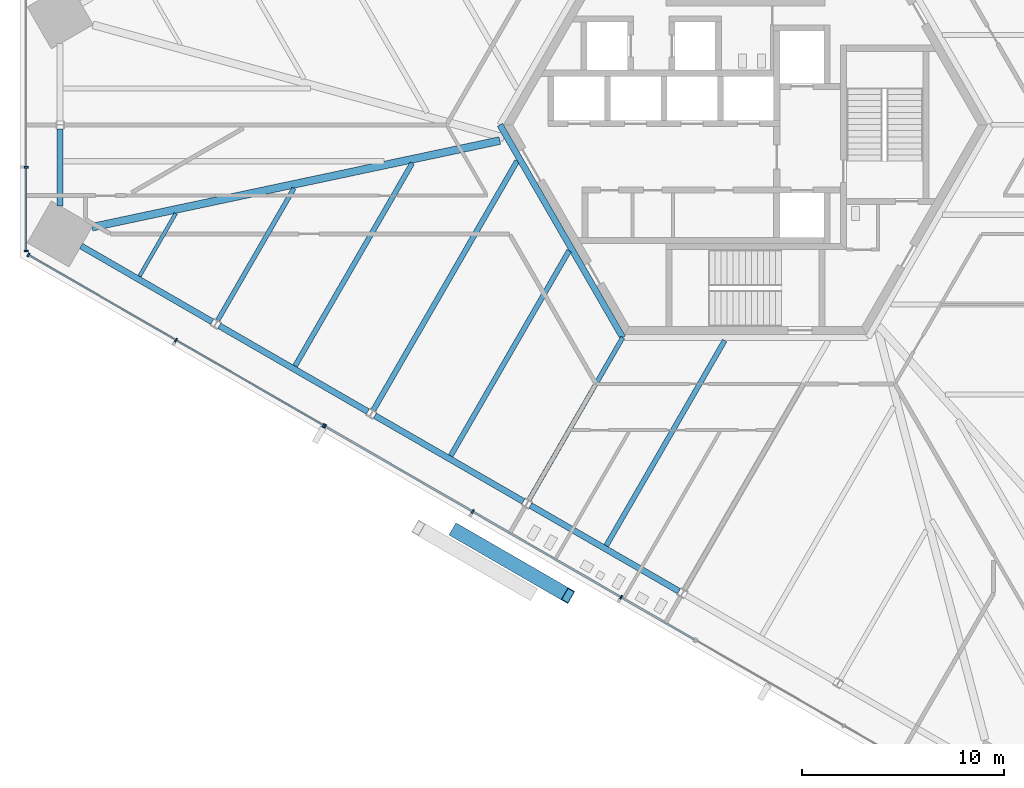
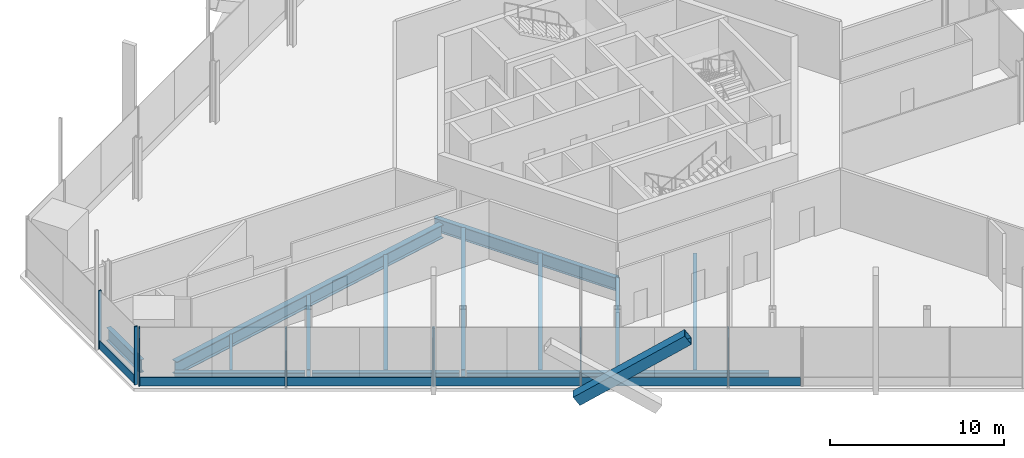
# One storey, part 3 of 18: 15 members, 14 beams, 3 elements without a shape of their own.
"""IFC4 building model written with IfcOpenShell, lengths in metres."""

from ifc_helpers import new_model, si_unit, direction, frame, origin, origin_2d, place, context, subcontext, project, spatial, rectangle, hollow_rectangle, i_section, extrude, source, transform, mapped, material, material_profile, profile_set, type_object, element, aggregate, save


model = new_model("IFC4")

# Units and contexts
model_context = context("Model", 3, precision=1e-05, world=origin(), true_north=direction((0.0, 1.0)))
body_context = subcontext(model_context, "Body", "Model", "MODEL_VIEW")
ifc_project = project(units=[si_unit("LENGTHUNIT", "METRE"), si_unit("AREAUNIT", "SQUARE_METRE"), si_unit("VOLUMEUNIT", "CUBIC_METRE"), si_unit("PLANEANGLEUNIT", "RADIAN"), si_unit("MASSUNIT", "GRAM", prefix="KILO")], contexts=[model_context])

# Site, building, storey
site_placement = place(None, origin())
site = spatial("IfcSite", under=ifc_project, at=site_placement, CompositionType="ELEMENT")
building_placement = place(site_placement, origin())
building = spatial("IfcBuilding", under=site, at=building_placement, Name="Triune Harvest Tower", CompositionType="ELEMENT")
storey_placement = place(building_placement, frame((0.0, 0.0, 33.199951171875)))
storey = spatial("IfcBuildingStorey", under=building, at=storey_placement, Name="L07", CompositionType="ELEMENT", Elevation=33.199951171875)

# Beams
ifc_material_1 = material(Name="Steel ASTM A992 Gr 50", Category="steel")
ifc_material_profile_1 = material_profile(ifc_material_1, i_section(OverallWidth=0.3046875, OverallDepth=0.914306640625, WebThickness=0.0166015625, FlangeThickness=0.02587890625, at=origin_2d()), Name="W36x160")
ifc_profile_set_1 = profile_set([ifc_material_profile_1], Name="Steel ASTM A992 Gr 50")
beam_type_1 = type_object("IfcBeamType", Name="CG-1 Core ring girder W36x160", PredefinedType="BEAM", material=ifc_profile_set_1)
shared_shape_1 = source(origin(), body_context, "Body", "SweptSolid", [
    extrude(i_section(OverallWidth=0.3046875, OverallDepth=0.914306640625, WebThickness=0.0166015625, FlangeThickness=0.02587890625, at=origin_2d()), origin(), (0.0, 0.0, 1.0), 12.176025390625),
])
beam_1_placement = place(storey_placement, frame((-12.176025390625, 0.0, -0.6572265625), z_axis=(0.5000099932, -0.866019634131, 0.0), x_axis=(0.866019634131, 0.5000099932, 0.0)))
element("IfcBeam", 1, at=beam_1_placement, inside=storey, type_object=beam_type_1, Name="beam/L07/CG4", PredefinedType="BEAM", context=body_context, shape_type="MappedRepresentation", body=[
    mapped(shared_shape_1, transform((0.0, 0.0, 0.0), scale=1.0)),
])
ifc_material_2 = material(Name="Steel ASTM A992 Gr 50", Category="steel")
ifc_material_profile_2 = material_profile(ifc_material_2, i_section(OverallWidth=0.383544921875, OverallDepth=0.9423828125, WebThickness=0.022216796875, FlangeThickness=0.039794921875, at=origin_2d()), Name="W36x232")
ifc_profile_set_2 = profile_set([ifc_material_profile_2], Name="Steel ASTM A992 Gr 50")
beam_type_2 = type_object("IfcBeamType", Name="HG-1 Hip girder W36x232", PredefinedType="BEAM", material=ifc_profile_set_2)
shared_shape_2 = source(origin(), body_context, "Body", "SweptSolid", [
    extrude(i_section(OverallWidth=0.383544921875, OverallDepth=0.9423828125, WebThickness=0.022216796875, FlangeThickness=0.039794921875, at=origin_2d()), origin(), (0.0, 0.0, 1.0), 20.676025390625),
])
beam_2_placement = place(storey_placement, frame((-32.4091796875, -5.07470703125, -0.671142578125), z_axis=(0.978185071399, 0.207735327022, 0.0), x_axis=(-0.207735327022, 0.978185071399, 0.0)))
element("IfcBeam", 2, at=beam_2_placement, inside=storey, type_object=beam_type_2, Name="beam/L07/HG5", PredefinedType="BEAM", context=body_context, shape_type="MappedRepresentation", body=[
    mapped(shared_shape_2, transform((0.0, 0.0, 0.0), scale=1.0)),
])
ifc_material_3 = material(Name="Steel ASTM A992 Gr 50", Category="steel")
ifc_material_profile_3 = material_profile(ifc_material_3, i_section(OverallWidth=0.22900390625, OverallDepth=0.612060546875, WebThickness=0.011962890625, FlangeThickness=0.01953125, at=origin_2d()), Name="W24x84")
ifc_profile_set_3 = profile_set([ifc_material_profile_3], Name="Steel ASTM A992 Gr 50")
beam_type_3 = type_object("IfcBeamType", Name="JT-3 Floor joist W24x84", PredefinedType="JOIST", material=ifc_profile_set_3)
shared_shape_3 = source(origin(), body_context, "Body", "SweptSolid", [
    extrude(i_section(OverallWidth=0.22900390625, OverallDepth=0.612060546875, WebThickness=0.011962890625, FlangeThickness=0.01953125, at=origin_2d()), origin(), (0.0, 0.0, 1.0), 7.558349609375),
])
beam_3_placement = place(storey_placement, frame((-26.170654296875, -9.68896484375, -0.506103515625), z_axis=(0.499991809969, 0.866030132249, 0.0), x_axis=(-0.866030132249, 0.499991809969, 0.0)))
element("IfcBeam", 3, at=beam_3_placement, inside=storey, type_object=beam_type_3, Name="beam/L07/JT28", PredefinedType="JOIST", context=body_context, shape_type="MappedRepresentation", body=[
    mapped(shared_shape_3, transform((0.0, 0.0, 0.0), scale=1.0)),
])
ifc_material_4 = material(Name="Steel ASTM A992 Gr 50", Category="steel")
ifc_material_profile_4 = material_profile(ifc_material_4, i_section(OverallWidth=0.2666015625, OverallDepth=0.7568359375, WebThickness=0.013916015625, FlangeThickness=0.019287109375, at=origin_2d()), Name="W30x108")
ifc_profile_set_4 = profile_set([ifc_material_profile_4], Name="Steel ASTM A992 Gr 50")
beam_type_4 = type_object("IfcBeamType", Name="JT-5 Floor joist W30x108", PredefinedType="JOIST", material=ifc_profile_set_4)
shared_shape_4 = source(origin(), body_context, "Body", "SweptSolid", [
    extrude(i_section(OverallWidth=0.2666015625, OverallDepth=0.7568359375, WebThickness=0.013916015625, FlangeThickness=0.019287109375, at=origin_2d()), origin(), (0.0, 0.0, 1.0), 14.2685546875),
])
beam_4_placement = place(storey_placement, frame((-18.454345703125, -14.14404296875, -0.578369140625), z_axis=(0.499987083308, 0.866032861112, 0.0), x_axis=(-0.866032861112, 0.499987083308, 0.0)))
element("IfcBeam", 4, at=beam_4_placement, inside=storey, type_object=beam_type_4, Name="beam/L07/JT30", PredefinedType="JOIST", context=body_context, shape_type="MappedRepresentation", body=[
    mapped(shared_shape_4, transform((0.0, 0.0, 0.0), scale=1.0)),
])
shared_shape_5 = source(origin(), body_context, "Body", "SweptSolid", [
    extrude(i_section(OverallWidth=0.22900390625, OverallDepth=0.612060546875, WebThickness=0.011962890625, FlangeThickness=0.01953125, at=origin_2d()), origin(), (0.0, 0.0, 1.0), 9.300537109375),
])
beam_5_placement = place(storey_placement, frame((-10.738037109375, -18.59912109375, -0.506103515625), z_axis=(0.49999285859, 0.86602952684, 0.0), x_axis=(-0.86602952684, 0.49999285859, 0.0)))
element("IfcBeam", 5, at=beam_5_placement, inside=storey, type_object=beam_type_3, Name="beam/L07/JT32", PredefinedType="JOIST", context=body_context, shape_type="MappedRepresentation", body=[
    mapped(shared_shape_5, transform((0.0, 0.0, 0.0), scale=1.0)),
])
ifc_material_5 = material(Name="Steel ASTM A992 Gr 50", Category="steel")
ifc_material_profile_5 = material_profile(ifc_material_5, i_section(OverallWidth=0.3046875, OverallDepth=0.914306640625, WebThickness=0.0166015625, FlangeThickness=0.02587890625, at=origin_2d()), Name="W36x160")
ifc_profile_set_5 = profile_set([ifc_material_profile_5], Name="Steel ASTM A992 Gr 50")
beam_type_5 = type_object("IfcBeamType", Name="SB-1 Spandrel beam W36x160", PredefinedType="SPANDREL", material=ifc_profile_set_5)
shared_shape_6 = source(origin(), body_context, "Body", "SweptSolid", [
    extrude(i_section(OverallWidth=0.3046875, OverallDepth=0.914306640625, WebThickness=0.0166015625, FlangeThickness=0.02587890625, at=origin_2d()), origin(), (0.0, 0.0, 1.0), 7.508056640625),
])
beam_6_placement = place(storey_placement, frame((-32.949462890625, -6.010009765625, -0.6572265625), z_axis=(0.866033425553, -0.499986105632, 0.0), x_axis=(0.499986105632, 0.866033425553, 0.0)))
element("IfcBeam", 6, at=beam_6_placement, inside=storey, type_object=beam_type_5, Name="beam/L07/SB17", PredefinedType="SPANDREL", context=body_context, shape_type="MappedRepresentation", body=[
    mapped(shared_shape_6, transform((0.0, 0.0, 0.0), scale=1.0)),
])
shared_shape_7 = source(origin(), body_context, "Body", "SweptSolid", [
    extrude(i_section(OverallWidth=0.3046875, OverallDepth=0.914306640625, WebThickness=0.0166015625, FlangeThickness=0.02587890625, at=origin_2d()), origin(), (0.0, 0.0, 1.0), 8.506103515625),
])
for number, where, z_axis, x_axis, name in (
    (7, (-26.097412109375, -9.966064453125, -0.6572265625), (0.866030246746, -0.49999161165, 0.0), (0.49999161165, 0.866030246746, 0.0), "beam/L07/SB18"),
    (8, (-18.381103515625, -14.4208984375, -0.6572265625), (0.866017818397, -0.500013138047, 0.0), (0.500013138047, 0.866017818397, 0.0), "beam/L07/SB19"),
    (9, (-10.664794921875, -18.8759765625, -0.6572265625), (0.866030246746, -0.49999161165, 0.0), (0.49999161165, 0.866030246746, 0.0), "beam/L07/SB20"),
):
    element("IfcBeam", number, at=place(storey_placement, frame(where, z_axis=z_axis, x_axis=x_axis)), inside=storey, type_object=beam_type_5, Name=name, PredefinedType="SPANDREL", context=body_context, shape_type="MappedRepresentation", body=[
        mapped(shared_shape_7, transform((0.0, 0.0, 0.0), scale=1.0)),
    ])
shared_shape_8 = source(origin(), body_context, "Body", "SweptSolid", [
    extrude(i_section(OverallWidth=0.3046875, OverallDepth=0.914306640625, WebThickness=0.0166015625, FlangeThickness=0.02587890625, at=origin_2d()), origin(), (0.0, 0.0, 1.0), 3.822509765625),
])
beam_7_placement = place(storey_placement, frame((-33.988525390625, -0.201904296875, -0.6572265625), z_axis=(0.0, -1.0, 0.0), x_axis=(1.0, 0.0, 0.0)))
element("IfcBeam", 10, at=beam_7_placement, inside=storey, type_object=beam_type_5, Name="beam/L07/SB16", PredefinedType="SPANDREL", context=body_context, shape_type="MappedRepresentation", body=[
    mapped(shared_shape_8, transform((0.0, 0.0, 0.0), scale=1.0)),
])
ifc_material_6 = material(Name="Steel ASTM A992 Gr 50", Category="steel")
ifc_material_profile_6 = material_profile(ifc_material_6, i_section(OverallWidth=0.253662109375, OverallDepth=0.683349609375, WebThickness=0.012451171875, FlangeThickness=0.01904296875, at=origin_2d()), Name="W27x94")
ifc_profile_set_6 = profile_set([ifc_material_profile_6], Name="Steel ASTM A992 Gr 50")
beam_type_6 = type_object("IfcBeamType", Name="JT-4 Floor joist W27x94", PredefinedType="JOIST", material=ifc_profile_set_6)
shared_shape_9 = source(origin(), body_context, "Body", "SweptSolid", [
    extrude(i_section(OverallWidth=0.253662109375, OverallDepth=0.683349609375, WebThickness=0.012451171875, FlangeThickness=0.01904296875, at=origin_2d()), origin(), (0.0, 0.0, 1.0), 11.618896484375),
])
beam_8_placement = place(storey_placement, frame((-22.337890625, -11.96044921875, -0.54150390625), z_axis=(0.500008015982, 0.866020775706, 0.0), x_axis=(-0.866020775706, 0.500008015982, 0.0)))
element("IfcBeam", 11, at=beam_8_placement, inside=storey, type_object=beam_type_6, Name="beam/L07/JT29", PredefinedType="JOIST", context=body_context, shape_type="MappedRepresentation", body=[
    mapped(shared_shape_9, transform((0.0, 0.0, 0.0), scale=1.0)),
])
shared_shape_10 = source(origin(), body_context, "Body", "SweptSolid", [
    extrude(i_section(OverallWidth=0.253662109375, OverallDepth=0.683349609375, WebThickness=0.012451171875, FlangeThickness=0.01904296875, at=origin_2d()), origin(), (0.0, 0.0, 1.0), 11.74755859375),
])
beam_9_placement = place(storey_placement, frame((-6.905517578125, -20.87060546875, -0.54150390625), z_axis=(0.500003693016, 0.86602327161, 0.0), x_axis=(-0.86602327161, 0.500003693016, 0.0)))
element("IfcBeam", 12, at=beam_9_placement, inside=storey, type_object=beam_type_6, Name="beam/L07/JT33", PredefinedType="JOIST", context=body_context, shape_type="MappedRepresentation", body=[
    mapped(shared_shape_10, transform((0.0, 0.0, 0.0), scale=1.0)),
])
shared_shape_11 = source(origin(), body_context, "Body", "SweptSolid", [
    extrude(i_section(OverallWidth=0.253662109375, OverallDepth=0.683349609375, WebThickness=0.012451171875, FlangeThickness=0.01904296875, at=origin_2d()), origin(), (0.0, 0.0, 1.0), 11.7470703125),
])
beam_10_placement = place(storey_placement, frame((-14.62158203125, -16.41552734375, -0.54150390625), z_axis=(0.49999710518, 0.866027075103, 0.0), x_axis=(-0.866027075103, 0.49999710518, 0.0)))
element("IfcBeam", 13, at=beam_10_placement, inside=storey, type_object=beam_type_6, Name="beam/L07/JT31", PredefinedType="JOIST", context=body_context, shape_type="MappedRepresentation", body=[
    mapped(shared_shape_11, transform((0.0, 0.0, 0.0), scale=1.0)),
])
ifc_material_7 = material(Name="Steel ASTM A992 Gr 50", Category="steel")
ifc_material_profile_7 = material_profile(ifc_material_7, i_section(OverallWidth=0.180908203125, OverallDepth=0.41650390625, WebThickness=0.010986328125, FlangeThickness=0.01806640625, at=origin_2d()), Name="W16x57")
ifc_profile_set_7 = profile_set([ifc_material_profile_7], Name="Steel ASTM A992 Gr 50")
beam_type_7 = type_object("IfcBeamType", Name="JT-1 Floor joist W16x57", PredefinedType="JOIST", material=ifc_profile_set_7)
shared_shape_12 = source(origin(), body_context, "Body", "SweptSolid", [
    extrude(i_section(OverallWidth=0.180908203125, OverallDepth=0.41650390625, WebThickness=0.010986328125, FlangeThickness=0.01806640625, at=origin_2d()), origin(), (0.0, 0.0, 1.0), 3.599609375),
])
beam_11_placement = place(storey_placement, frame((-30.05419921875, -7.505615234375, -0.408203125), z_axis=(0.499990559667, 0.866030854095, 0.0), x_axis=(-0.866030854095, 0.499990559667, 0.0)))
element("IfcBeam", 14, at=beam_11_placement, inside=storey, type_object=beam_type_7, Name="beam/L07/JT27", PredefinedType="JOIST", context=body_context, shape_type="MappedRepresentation", body=[
    mapped(shared_shape_12, transform((0.0, 0.0, 0.0), scale=1.0)),
])

# Member
ifc_material_8 = material(Name="Steel ASTM A572 Gr 50", Category="steel")
ifc_material_profile_8 = material_profile(ifc_material_8, hollow_rectangle(XDim=0.699951171875, YDim=0.699951171875, WallThickness=0.0400390625, at=origin_2d()), Name="Box 700x700x40")
ifc_profile_set_8 = profile_set([ifc_material_profile_8], Name="Steel ASTM A572 Gr 50")
member_type_1 = type_object("IfcMemberType", Name="BR-1 Brace Box 700x700x40", PredefinedType="BRACE", material=ifc_profile_set_8)
shared_shape_13 = source(origin(), body_context, "Body", "SweptSolid", [
    extrude(hollow_rectangle(XDim=0.699951171875, YDim=0.699951171875, WallThickness=0.0400390625, at=origin_2d()), origin(), (0.0, 0.0, 1.0), 7.728759765625),
])
member_1_placement = place(storey_placement, frame((-14.36474609375, -20.13671875, 0.0), z_axis=(0.719594572659, -0.415488472967, 0.556374855498), x_axis=(0.500027396176, 0.866009586017, 0.0)))
element("IfcMember", 15, at=member_1_placement, inside=storey, type_object=member_type_1, Name="brace/B1-F5/d1/5", PredefinedType="BRACE", context=body_context, shape_type="MappedRepresentation", body=[
    mapped(shared_shape_13, transform((0.0, 0.0, 0.0), scale=1.0)),
])

# Curtain wall, members
ifc_material_9 = material(Name="Aluminium bronze anodised", Category="aluminium")
curtain_wall_type_1 = type_object("IfcCurtainWallType", Name="CW-3 Farm floor curtain wall", PredefinedType="NOTDEFINED", material=ifc_material_9)
curtain_wall_1_placement = place(storey_placement, origin())
curtain_wall_1 = element("IfcCurtainWall", 16, at=curtain_wall_1_placement, inside=storey, type_object=curtain_wall_type_1, Name="CW-3 B1-F4 L07 run 1")
ifc_material_10 = material(Name="Aluminium bronze anodised", Category="aluminium")
ifc_material_profile_9 = material_profile(ifc_material_10, rectangle(XDim=0.199951171875, YDim=0.080078125, at=origin_2d()), Name="MU-3 mullion 80 x 200")
ifc_profile_set_9 = profile_set([ifc_material_profile_9], Name="Aluminium bronze anodised")
member_type_2 = type_object("IfcMemberType", Name="MU-3 mullion 80 x 200", PredefinedType="MULLION", material=ifc_profile_set_9)
shared_shape_14 = source(origin(), body_context, "Body", "SweptSolid", [
    extrude(rectangle(XDim=0.199951171875, YDim=0.080078125, at=origin_2d()), origin(), (0.0, 0.0, 1.0), 4.10009765625),
])
member_2_placement = place(storey_placement, frame((-35.680419921875, -2.098876953125, 0.0), z_axis=(0.0, 0.0, 1.0), x_axis=(1.0, 0.0, 0.0)))
member_2 = element("IfcMember", 17, at=member_2_placement, type_object=member_type_2, Name="CW-3 mullion B1-F4 1.3", PredefinedType="MULLION", context=body_context, shape_type="MappedRepresentation", body=[
    mapped(shared_shape_14, transform((0.0, 0.0, 0.0), scale=1.0)),
])
member_3_placement = place(storey_placement, frame((-35.680419921875, -6.2568359375, 0.0), z_axis=(0.0, 0.0, 1.0), x_axis=(1.0, 0.0, 0.0)))
member_3 = element("IfcMember", 18, at=member_3_placement, type_object=member_type_2, Name="CW-3 mullion B1-F4 1.4", PredefinedType="MULLION", context=body_context, shape_type="MappedRepresentation", body=[
    mapped(shared_shape_14, transform((0.0, 0.0, 0.0), scale=1.0)),
])

curtain_wall_2_placement = place(storey_placement, origin())
curtain_wall_2 = element("IfcCurtainWall", 19, at=curtain_wall_2_placement, inside=storey, type_object=curtain_wall_type_1, Name="CW-3 B1-F5 L07 run 1")
member_4_placement = place(storey_placement, frame((-35.56787109375, -6.451904296875, 0.0), z_axis=(0.0, 0.0, 1.0), x_axis=(0.500001122288, 0.86602475583, 0.0)))
member_4 = element("IfcMember", 20, at=member_4_placement, type_object=member_type_2, Name="CW-3 mullion B1-F5 1.1", PredefinedType="MULLION", context=body_context, shape_type="MappedRepresentation", body=[
    mapped(shared_shape_14, transform((0.0, 0.0, 0.0), scale=1.0)),
])
member_5_placement = place(storey_placement, frame((-28.243408203125, -10.6806640625, 0.0), z_axis=(0.0, 0.0, 1.0), x_axis=(0.500001122288, 0.86602475583, 0.0)))
member_5 = element("IfcMember", 21, at=member_5_placement, type_object=member_type_2, Name="CW-3 mullion B1-F5 1.3", PredefinedType="MULLION", context=body_context, shape_type="MappedRepresentation", body=[
    mapped(shared_shape_14, transform((0.0, 0.0, 0.0), scale=1.0)),
])
member_6_placement = place(storey_placement, frame((-20.919189453125, -14.9091796875, 0.0), z_axis=(0.0, 0.0, 1.0), x_axis=(0.500001122288, 0.86602475583, 0.0)))
member_6 = element("IfcMember", 22, at=member_6_placement, type_object=member_type_2, Name="CW-3 mullion B1-F5 1.5", PredefinedType="MULLION", context=body_context, shape_type="MappedRepresentation", body=[
    mapped(shared_shape_14, transform((0.0, 0.0, 0.0), scale=1.0)),
])

ifc_material_11 = material(Name="Aluminium bronze anodised", Category="aluminium")
curtain_wall_type_2 = type_object("IfcCurtainWallType", Name="CW-8 Farm floor curtain wall with insulated spandrel infill", PredefinedType="NOTDEFINED", material=ifc_material_11)
curtain_wall_3_placement = place(storey_placement, origin())
curtain_wall_3 = element("IfcCurtainWall", 23, at=curtain_wall_3_placement, inside=storey, type_object=curtain_wall_type_2, Name="CW-8 B1-F5 L07 run 1001")
member_7_placement = place(storey_placement, frame((-20.849853515625, -14.94921875, 0.0), z_axis=(0.0, 0.0, 1.0), x_axis=(0.499997905997, 0.866026612754, 0.0)))
member_7 = element("IfcMember", 24, at=member_7_placement, type_object=member_type_2, Name="CW-8 mullion B1-F5 1001.1", PredefinedType="MULLION", context=body_context, shape_type="MappedRepresentation", body=[
    mapped(shared_shape_14, transform((0.0, 0.0, 0.0), scale=1.0)),
])
member_8_placement = place(storey_placement, frame((-13.525390625, -19.177978515625, 0.0), z_axis=(0.0, 0.0, 1.0), x_axis=(0.499997905997, 0.866026612754, 0.0)))
member_8 = element("IfcMember", 25, at=member_8_placement, type_object=member_type_2, Name="CW-8 mullion B1-F5 1001.3", PredefinedType="MULLION", context=body_context, shape_type="MappedRepresentation", body=[
    mapped(shared_shape_14, transform((0.0, 0.0, 0.0), scale=1.0)),
])
member_9_placement = place(storey_placement, frame((-6.16650390625, -23.4267578125, 0.0), z_axis=(0.0, 0.0, 1.0), x_axis=(0.499997905997, 0.866026612754, 0.0)))
member_9 = element("IfcMember", 26, at=member_9_placement, type_object=member_type_2, Name="CW-8 mullion B1-F5 1001.5", PredefinedType="MULLION", context=body_context, shape_type="MappedRepresentation", body=[
    mapped(shared_shape_14, transform((0.0, 0.0, 0.0), scale=1.0)),
])

# Member
ifc_material_12 = material(Name="Aluminium bronze anodised", Category="aluminium")
ifc_material_profile_10 = material_profile(ifc_material_12, rectangle(XDim=0.090087890625, YDim=0.60009765625, at=origin_2d()), Name="TR-3 transom 90 x 600")
ifc_profile_set_10 = profile_set([ifc_material_profile_10], Name="Aluminium bronze anodised")
member_type_3 = type_object("IfcMemberType", Name="TR-3 transom 90 x 600", PredefinedType="USERDEFINED", material=ifc_profile_set_10)
shared_shape_15 = source(origin(), body_context, "Body", "SweptSolid", [
    extrude(rectangle(XDim=0.090087890625, YDim=0.60009765625, at=origin_2d()), origin(), (0.0, 0.0, 1.0), 4.077880859375),
])
member_10_placement = place(storey_placement, frame((-35.680419921875, -2.138916015625, 0.300048828125), z_axis=(0.0, -1.0, 0.0), x_axis=(1.0, 0.0, 0.0)))
member_10 = element("IfcMember", 27, at=member_10_placement, type_object=member_type_3, Name="CW-3 transom B1-F4 1.2", ObjectType="TRANSOM", PredefinedType="USERDEFINED", context=body_context, shape_type="MappedRepresentation", body=[
    mapped(shared_shape_15, transform((0.0, 0.0, 0.0), scale=1.0)),
])

aggregate(curtain_wall_1, [member_2, member_3, member_10])

shared_shape_16 = source(origin(), body_context, "Body", "SweptSolid", [
    extrude(rectangle(XDim=0.090087890625, YDim=0.60009765625, at=origin_2d()), origin(), (0.0, 0.0, 1.0), 8.37744140625),
])
member_11_placement = place(storey_placement, frame((-20.815185546875, -14.96923828125, 0.300048828125), z_axis=(0.866026892193, -0.499997421992, 0.0), x_axis=(0.499997421992, 0.866026892193, 0.0)))
member_11 = element("IfcMember", 28, at=member_11_placement, type_object=member_type_3, Name="CW-8 transom B1-F5 1001.1", ObjectType="TRANSOM", PredefinedType="USERDEFINED", context=body_context, shape_type="MappedRepresentation", body=[
    mapped(shared_shape_16, transform((0.0, 0.0, 0.0), scale=1.0)),
])

shared_shape_17 = source(origin(), body_context, "Body", "SweptSolid", [
    extrude(rectangle(XDim=0.090087890625, YDim=0.60009765625, at=origin_2d()), origin(), (0.0, 0.0, 1.0), 4.128662109375),
])
member_12_placement = place(storey_placement, frame((-6.1318359375, -23.44677734375, 0.300048828125), z_axis=(0.866047731501, -0.499961325266, 0.0), x_axis=(0.499961325266, 0.866047731501, 0.0)))
member_12 = element("IfcMember", 29, at=member_12_placement, type_object=member_type_3, Name="CW-8 transom B1-F5 1001.3", ObjectType="TRANSOM", PredefinedType="USERDEFINED", context=body_context, shape_type="MappedRepresentation", body=[
    mapped(shared_shape_17, transform((0.0, 0.0, 0.0), scale=1.0)),
])

shared_shape_18 = source(origin(), body_context, "Body", "SweptSolid", [
    extrude(rectangle(XDim=0.090087890625, YDim=0.60009765625, at=origin_2d()), origin(), (0.0, 0.0, 1.0), 8.377685546875),
])
member_13_placement = place(storey_placement, frame((-35.533203125, -6.4716796875, 0.300048828125), z_axis=(0.866014273083, -0.500019278445, 0.0), x_axis=(0.500019278445, 0.866014273083, 0.0)))
member_13 = element("IfcMember", 30, at=member_13_placement, type_object=member_type_3, Name="CW-3 transom B1-F5 1.1", ObjectType="TRANSOM", PredefinedType="USERDEFINED", context=body_context, shape_type="MappedRepresentation", body=[
    mapped(shared_shape_18, transform((0.0, 0.0, 0.0), scale=1.0)),
])

member_14_placement = place(storey_placement, frame((-28.208984375, -10.700439453125, 0.300048828125), z_axis=(0.866014273083, -0.500019278445, 0.0), x_axis=(0.500019278445, 0.866014273083, 0.0)))
member_14 = element("IfcMember", 31, at=member_14_placement, type_object=member_type_3, Name="CW-3 transom B1-F5 1.2", ObjectType="TRANSOM", PredefinedType="USERDEFINED", context=body_context, shape_type="MappedRepresentation", body=[
    mapped(shared_shape_18, transform((0.0, 0.0, 0.0), scale=1.0)),
])

aggregate(curtain_wall_2, [member_4, member_5, member_6, member_13, member_14])

shared_shape_19 = source(origin(), body_context, "Body", "SweptSolid", [
    extrude(rectangle(XDim=0.090087890625, YDim=0.60009765625, at=origin_2d()), origin(), (0.0, 0.0, 1.0), 8.417236328125),
])
member_15_placement = place(storey_placement, frame((-13.49072265625, -19.197998046875, 0.300048828125), z_axis=(0.866019429705, -0.500010347266, 0.0), x_axis=(0.500010347266, 0.866019429705, 0.0)))
member_15 = element("IfcMember", 32, at=member_15_placement, type_object=member_type_3, Name="CW-8 transom B1-F5 1001.2", ObjectType="TRANSOM", PredefinedType="USERDEFINED", context=body_context, shape_type="MappedRepresentation", body=[
    mapped(shared_shape_19, transform((0.0, 0.0, 0.0), scale=1.0)),
])

aggregate(curtain_wall_3, [member_7, member_8, member_9, member_11, member_15, member_12])

save(model, "model.ifc")
